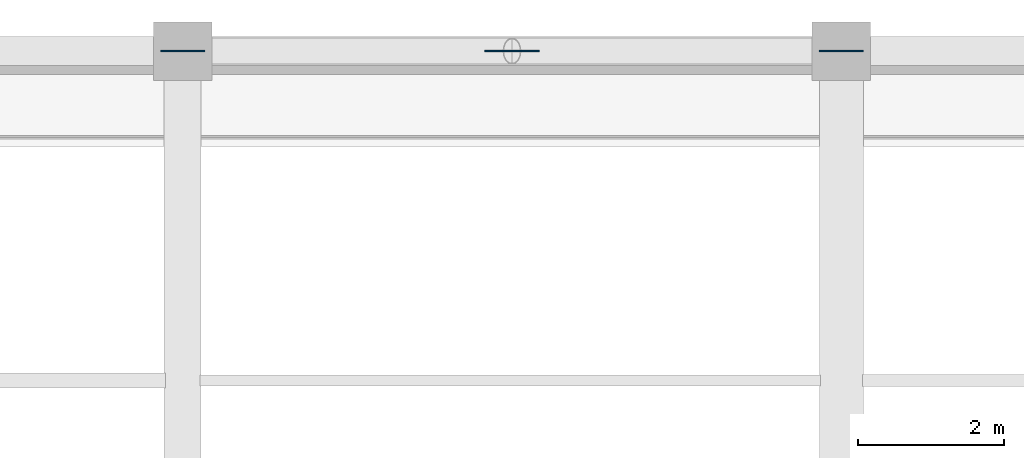
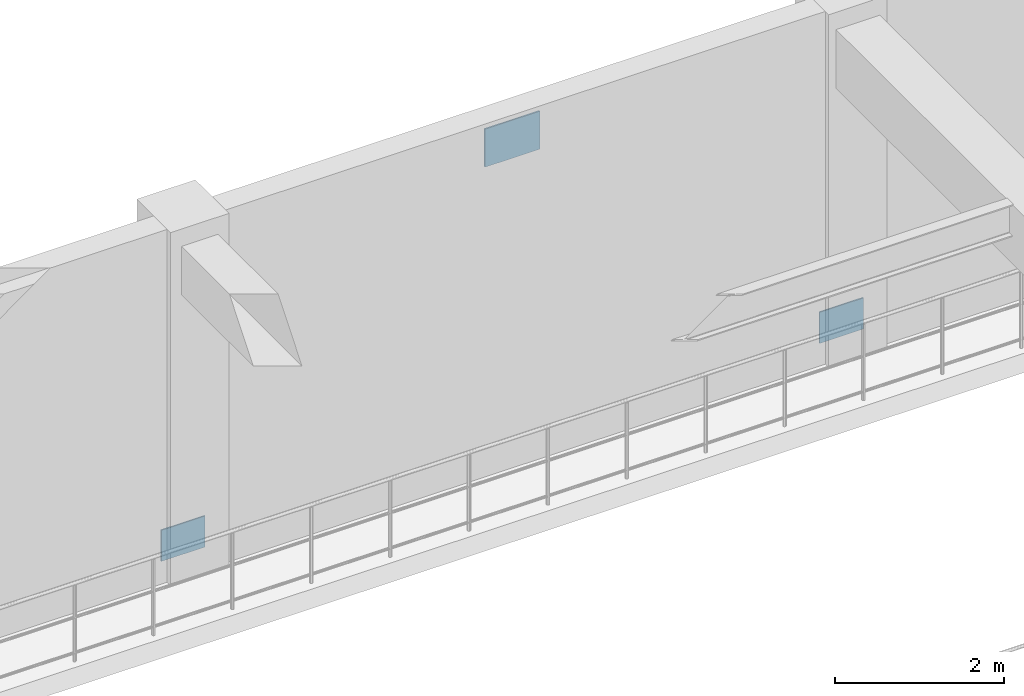
# One storey, part 96 of 128: 3 plates.
"""IFC4 building model written with IfcOpenShell, lengths in metres."""

import ifcopenshell
import ifcopenshell.guid

model = None  # the IFC model being written
_history = None  # IfcOwnerHistory: only IFC2X3 demands one
_inside = {}  # id of a spatial element -> (the spatial element, [elements in it])
_under = {}  # id of a project, library or spatial element -> (it, [spatial elements below it])
_declared = {}  # id of a project -> (the project, [libraries it declares])
_typed = {}  # id of a type object -> (the type object, [elements of that type])
_made_of = {}  # id of a material, layer set ... -> (it, [elements and type objects made of it])


def new_model(schema):
    """Start an empty IFC model of exactly this schema.

    Asked for "IFC4X3", IfcOpenShell would pick the latest addendum, in which some entities
    have other attributes; the version numbers below select the first issue.
    IFC2X3 requires an IfcOwnerHistory on every rooted entity: one is made here for all.
    """
    global model, _history
    if schema == "IFC4X3":
        model = ifcopenshell.file(schema_version=(4, 3, 0, 0))
    else:
        model = ifcopenshell.file(schema=schema)
    _inside.clear()
    _under.clear()
    _declared.clear()
    _typed.clear()
    _made_of.clear()
    _history = None
    if model.schema == "IFC2X3":
        org = make("IfcOrganization", Name="unknown")
        user = make(
            "IfcPersonAndOrganization",
            ThePerson=make("IfcPerson", FamilyName="unknown"),
            TheOrganization=org,
        )
        app = make(
            "IfcApplication",
            ApplicationDeveloper=org,
            Version="unknown",
            ApplicationFullName="unknown",
            ApplicationIdentifier="unknown",
        )
        _history = make(
            "IfcOwnerHistory",
            OwningUser=user,
            OwningApplication=app,
            ChangeAction="ADDED",
            CreationDate=0,
        )
    return model


def make(cls, **values):
    """One entity of the class cls with the attributes given. An attribute that is None is left unset."""
    return model.create_entity(
        cls, **{name: value for name, value in values.items() if value is not None}
    )


def rooted(cls, **values):
    """An entity with a GlobalId (a new one), such as an element, a storey or a relation."""
    return make(cls, GlobalId=ifcopenshell.guid.new(), OwnerHistory=_history, **values)


def si_unit(unit_type, name, prefix=None):
    """IfcSIUnit, for example si_unit("LENGTHUNIT", "METRE", prefix="MILLI")."""
    return make("IfcSIUnit", UnitType=unit_type, Prefix=prefix, Name=name)


def assignment(units):
    """IfcUnitAssignment: the units of a project."""
    return None if units is None else make("IfcUnitAssignment", Units=units)


def point(xyz):
    """IfcCartesianPoint."""
    return None if xyz is None else make("IfcCartesianPoint", Coordinates=xyz)


def direction(xyz):
    """IfcDirection."""
    return None if xyz is None else make("IfcDirection", DirectionRatios=xyz)


def frame(location, z_axis=None, x_axis=None):
    """IfcAxis2Placement3D, a coordinate frame: its origin and axes. An axis left out is left unset."""
    return make(
        "IfcAxis2Placement3D",
        Location=point(location),
        Axis=direction(z_axis),
        RefDirection=direction(x_axis),
    )


def frame_2d(location, x_axis=None):
    """IfcAxis2Placement2D, a coordinate frame in the plane: its origin and x axis."""
    return make(
        "IfcAxis2Placement2D", Location=point(location), RefDirection=direction(x_axis)
    )


def origin():
    """The frame at (0, 0, 0) with its axes left unset."""
    return frame((0.0, 0.0, 0.0))


def origin_2d():
    """The frame at (0, 0) in the plane with its x axis left unset."""
    return frame_2d((0.0, 0.0))


def place(relative_to, where):
    """IfcLocalPlacement: puts the frame where relative to a parent placement (None: the world)."""
    return make(
        "IfcLocalPlacement", PlacementRelTo=relative_to, RelativePlacement=where
    )


def context(
    kind, dimensions, precision=None, world=None, true_north=None, identifier=None
):
    """IfcGeometricRepresentationContext, for example the 3D "Model" context."""
    return make(
        "IfcGeometricRepresentationContext",
        ContextIdentifier=identifier,
        ContextType=kind,
        CoordinateSpaceDimension=dimensions,
        Precision=precision,
        WorldCoordinateSystem=world,
        TrueNorth=true_north,
    )


def subcontext(parent, identifier, kind, view, scale=None):
    """IfcGeometricRepresentationSubContext, for example "Body" below "Model"."""
    return make(
        "IfcGeometricRepresentationSubContext",
        ContextIdentifier=identifier,
        ContextType=kind,
        ParentContext=parent,
        TargetScale=scale,
        TargetView=view,
    )


def project(units=None, contexts=None):
    """IfcProject with its units and contexts."""
    return rooted(
        "IfcProject",
        Name="project",
        RepresentationContexts=contexts,
        UnitsInContext=assignment(units),
    )


def spatial(cls, under=None, at=None, **own):
    """A site, building, storey or space (cls), placed at a placement, below another one or the project."""
    s = rooted(cls, ObjectPlacement=at, **own)
    if under is not None:
        _under.setdefault(under.id(), (under, []))[1].append(s)
    return s


def profile(cls, at=None, kind="AREA", **sizes):
    """A parametric profile (cls). Its sizes go by their IFC names, for example OverallWidth=200.0."""
    return make(cls, ProfileType=kind, Position=at, **sizes)


def rectangle(**sizes):
    """IfcRectangleProfileDef."""
    return profile("IfcRectangleProfileDef", **sizes)


def extrude(swept, where, along, depth):
    """IfcExtrudedAreaSolid: the profile swept, set in the frame where, extruded along a direction by depth."""
    return make(
        "IfcExtrudedAreaSolid",
        SweptArea=swept,
        Position=where,
        ExtrudedDirection=direction(along),
        Depth=depth,
    )


def shape(context_of_items, identifier, shape_type, items):
    """IfcShapeRepresentation: the items that make up one representation, for example the "Body"."""
    return make(
        "IfcShapeRepresentation",
        ContextOfItems=context_of_items,
        RepresentationIdentifier=identifier,
        RepresentationType=shape_type,
        Items=items,
    )


def material(Name=None, Category=None):
    """IfcMaterial."""
    return make("IfcMaterial", Name=Name, Category=Category)


def layer(
    of_material, thickness, ventilated=None, Name=None, Category=None, Priority=None
):
    """IfcMaterialLayer: one layer of a wall or slab, of a material (None: an air gap)."""
    return make(
        "IfcMaterialLayer",
        Material=of_material,
        LayerThickness=thickness,
        IsVentilated=ventilated,
        Name=Name,
        Category=Category,
        Priority=Priority,
    )


def layer_set(layers, Name=None):
    """IfcMaterialLayerSet."""
    return make("IfcMaterialLayerSet", MaterialLayers=layers, LayerSetName=Name)


def made_of(thing, what):
    """Note that an element or type object is made of a material, layer set ...; save() writes the relation."""
    if what is not None:
        _made_of.setdefault(what.id(), (what, []))[1].append(thing)
    return thing


def type_object(cls, material=None, **own):
    """A type object (cls), such as IfcWallType, which elements share."""
    return made_of(rooted(cls, **own), material)


def element(
    cls,
    number,
    at=None,
    inside=None,
    cuts=None,
    type_object=None,
    material=None,
    context=None,
    identifier="Body",
    shape_type=None,
    held_by="IfcProductDefinitionShape",
    body=None,
    shapes=None,
    **own,
):
    """One element of the class cls, such as IfcWall. Its Tag is "e" and its number.

    at: its placement. inside: the storey or other place that contains it. cuts: it is an
    opening in that element (IfcRelVoidsElement). A single representation is given by context,
    identifier, shape_type and body (its items); several are given by shapes. held_by: the class
    of the entity that holds the representations. save() writes the other relations.
    """
    e = rooted(cls, Tag="e%d" % number, ObjectPlacement=at, **own)
    if body is not None:
        shapes = [shape(context, identifier, shape_type, body)]
    if shapes is not None:
        e.Representation = make(held_by, Representations=shapes)
    if inside is not None:
        _inside.setdefault(inside.id(), (inside, []))[1].append(e)
    if cuts is not None:
        rooted(
            "IfcRelVoidsElement", RelatingBuildingElement=cuts, RelatedOpeningElement=e
        )
    if type_object is not None:
        _typed.setdefault(type_object.id(), (type_object, []))[1].append(e)
    return made_of(e, material)


def aggregate(whole, parts):
    """IfcRelAggregates: a whole, such as a stair, and the parts it consists of."""
    return rooted("IfcRelAggregates", RelatingObject=whole, RelatedObjects=parts)


def save(model, path):
    """Write the relations noted so far, then the file.

    IfcRelAggregates (storeys below a building ...), IfcRelContainedInSpatialStructure (elements
    in a storey), IfcRelDefinesByType, IfcRelAssociatesMaterial and IfcRelDeclares: one each for
    every whole, place, type object, material and project.
    """
    for whole, parts in _under.values():
        aggregate(whole, parts)
    for where, things in _inside.values():
        rooted(
            "IfcRelContainedInSpatialStructure",
            RelatedElements=things,
            RelatingStructure=where,
        )
    for kind, things in _typed.values():
        rooted("IfcRelDefinesByType", RelatedObjects=things, RelatingType=kind)
    for what, things in _made_of.values():
        rooted("IfcRelAssociatesMaterial", RelatedObjects=things, RelatingMaterial=what)
    for by, libraries in _declared.values():
        rooted("IfcRelDeclares", RelatingContext=by, RelatedDefinitions=libraries)
    model.write(path)


model = new_model("IFC4")

# Units and contexts
model_context = context("Model", 3, precision=1e-05, world=origin(), true_north=direction((0.0, 1.0)))
body_context = subcontext(model_context, "Body", "Model", "MODEL_VIEW")
ifc_project = project(units=[si_unit("LENGTHUNIT", "METRE"), si_unit("AREAUNIT", "SQUARE_METRE"), si_unit("VOLUMEUNIT", "CUBIC_METRE"), si_unit("PLANEANGLEUNIT", "RADIAN"), si_unit("MASSUNIT", "GRAM", prefix="KILO")], contexts=[model_context])

# Site, building, storey
site_placement = place(None, origin())
site = spatial("IfcSite", under=ifc_project, at=site_placement, CompositionType="ELEMENT")
building_placement = place(site_placement, origin())
building = spatial("IfcBuilding", under=site, at=building_placement, Name="Miravela Opera House", CompositionType="ELEMENT")
storey_placement = place(building_placement, origin())
storey = spatial("IfcBuildingStorey", under=building, at=storey_placement, Name="L00", CompositionType="ELEMENT", Elevation=0.0)

# Plates
ifc_material = material(Name="Structural steel ASTM A572 Gr. 50", Category="steel")
ifc_layer_1 = layer(ifc_material, 0.01806640625)
ifc_layer_set_1 = layer_set([ifc_layer_1])
plate_type_1 = type_object("IfcPlateType", Name="STR-PL-GUS-600X450X18", PredefinedType="USERDEFINED", material=ifc_layer_set_1)
for number, where, z_axis, x_axis, name in (
    (1, (27.0, 112.0, 0.0751953125), (0.0, 0.0, 1.0), (1.0, 0.0, 0.0), "Brace Wall Cast-In Embed Plate 322"),
    (2, (36.0, 112.0, 0.0751953125), (0.0, 0.0, 1.0), (1.0, 0.0, 0.0), "Brace Wall Cast-In Embed Plate 323"),
):
    element("IfcPlate", number, at=place(storey_placement, frame(where, z_axis=z_axis, x_axis=x_axis)), inside=storey, type_object=plate_type_1, Name=name, ObjectType="GUSSET PLATE", PredefinedType="USERDEFINED", context=body_context, shape_type="SweptSolid", body=[
        extrude(rectangle(XDim=0.60009765625, YDim=0.01806640625, at=origin_2d()), origin(), (0.0, 0.0, 1.0), 0.449951171875),
    ])
ifc_layer_2 = layer(ifc_material, 0.02001953125)
ifc_layer_set_2 = layer_set([ifc_layer_2])
plate_type_2 = type_object("IfcPlateType", Name="STR-PL-GUS-750X550X20", PredefinedType="USERDEFINED", material=ifc_layer_set_2)
plate_placement = place(storey_placement, frame((31.5, 112.0, 4.22509765625), z_axis=(0.0, 0.0, 1.0), x_axis=(1.0, 0.0, 0.0)))
element("IfcPlate", 3, at=plate_placement, inside=storey, type_object=plate_type_2, Name="Chevron Brace Apex Gusset Plate 321", ObjectType="GUSSET PLATE", PredefinedType="USERDEFINED", context=body_context, shape_type="SweptSolid", body=[
    extrude(rectangle(XDim=0.75, YDim=0.02001953125, at=origin_2d()), origin(), (0.0, 0.0, 1.0), 0.550048828125),
])

save(model, "model.ifc")
